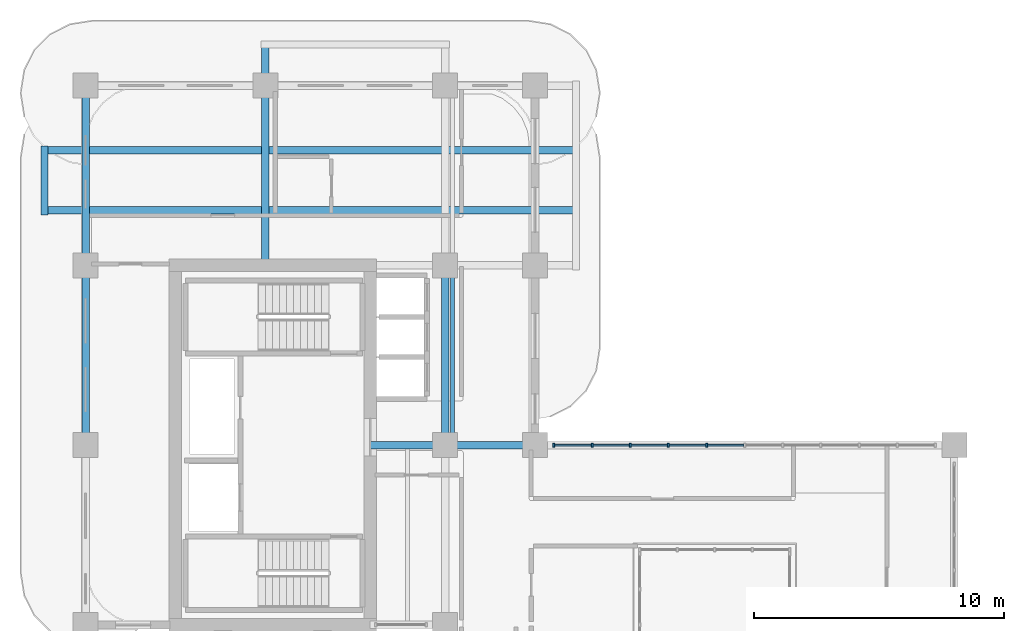
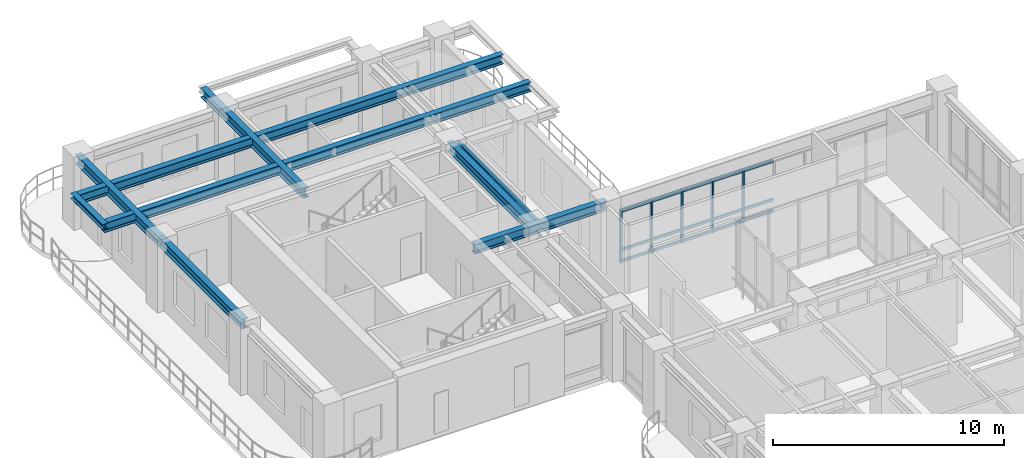
# One storey, part 5 of 21: 20 members, 9 beams, 1 element without a shape of its own.
"""IFC4 building model written with IfcOpenShell, lengths in metres."""

from ifc_helpers import new_model, si_unit, derived_unit, direction, frame, origin, origin_2d, place, context, subcontext, project, spatial, rectangle, i_section, extrude, source, transform, mapped, material, layer, layer_set, material_profile, profile_set, type_object, type_shapes, element, aggregate, save


model = new_model("IFC4")

# Units and contexts
model_context = context("Model", 3, precision=1e-05, world=origin(), true_north=direction((0.0, 1.0)))
body_context = subcontext(model_context, "Body", "Model", "MODEL_VIEW")
ifc_project = project(units=[si_unit("LENGTHUNIT", "METRE"), si_unit("AREAUNIT", "SQUARE_METRE"), si_unit("VOLUMEUNIT", "CUBIC_METRE"), si_unit("PLANEANGLEUNIT", "RADIAN"), si_unit("MASSUNIT", "GRAM", prefix="KILO"), si_unit("THERMODYNAMICTEMPERATUREUNIT", "KELVIN"), si_unit("POWERUNIT", "WATT"), derived_unit("THERMALTRANSMITTANCEUNIT", [(si_unit("POWERUNIT", "WATT"), 1), (si_unit("AREAUNIT", "SQUARE_METRE"), -1), (si_unit("THERMODYNAMICTEMPERATUREUNIT", "KELVIN"), -1)])], contexts=[model_context])

# Site, building, storey
site_placement = place(None, origin())
site = spatial("IfcSite", under=ifc_project, at=site_placement, CompositionType="ELEMENT")
building_placement = place(site_placement, origin())
building = spatial("IfcBuilding", under=site, at=building_placement, Name="Zahravan Archway Hotel and Residences", CompositionType="ELEMENT")
storey_placement = place(building_placement, frame((0.0, 0.0, 169.550048828125)))
storey = spatial("IfcBuildingStorey", under=building, at=storey_placement, Name="L42", CompositionType="ELEMENT", Elevation=169.550048828125)

# Beams
ifc_material_1 = material(Name="Structural Steel S355JR", Category="steel")
ifc_material_profile_1 = material_profile(ifc_material_1, i_section(OverallWidth=0.280029296875, OverallDepth=0.280029296875, WebThickness=0.010498046875, FlangeThickness=0.01806640625, FilletRadius=0.02392578125, at=origin_2d()), Name="HEB 280", Category="steel")
ifc_profile_set_1 = profile_set([ifc_material_profile_1], Name="Structural Steel S355JR")
beam_type_1 = type_object("IfcBeamType", Name="BM-SPN-HEB280", PredefinedType="SPANDREL", material=ifc_profile_set_1)
shared_shape_1 = source(origin(), body_context, "Body", "SweptSolid", [
    extrude(i_section(OverallWidth=0.280029296875, OverallDepth=0.280029296875, WebThickness=0.010498046875, FlangeThickness=0.01806640625, FilletRadius=0.02392578125, at=origin_2d()), origin(), (0.0, 0.0, 1.0), 2.759765625),
])
beam_1_placement = place(storey_placement, frame((-1.64990234375, 41.6201171875, 3.4599609375), z_axis=(0.0, 1.0, 0.0), x_axis=(-1.0, 0.0, 0.0)))
element("IfcBeam", 1, at=beam_1_placement, inside=storey, type_object=beam_type_1, Name="L43 WB Balcony Edge Spandrel", PredefinedType="SPANDREL", context=body_context, shape_type="MappedRepresentation", body=[
    mapped(shared_shape_1, transform((0.0, 0.0, 0.0), scale=1.0)),
])
ifc_material_profile_2 = material_profile(ifc_material_1, i_section(OverallWidth=0.300048828125, OverallDepth=0.5, WebThickness=0.014404296875, FlangeThickness=0.028076171875, FilletRadius=0.027099609375, at=origin_2d()), Name="HEB 500", Category="steel")
ifc_profile_set_2 = profile_set([ifc_material_profile_2], Name="Structural Steel S355JR")
beam_type_2 = type_object("IfcBeamType", Name="BM-PRI-HEB500", PredefinedType="BEAM", material=ifc_profile_set_2)
shared_shape_2 = source(origin(), body_context, "Body", "SweptSolid", [
    extrude(i_section(OverallWidth=0.300048828125, OverallDepth=0.5, WebThickness=0.014404296875, FlangeThickness=0.028076171875, FilletRadius=0.027099609375, at=origin_2d()), origin(), (0.0, 0.0, 1.0), 7.2001953125),
])
type_shapes(beam_type_2, [shared_shape_2])
for number, where, z_axis, x_axis, name in (
    (2, (0.0, 32.39990234375, 3.349853515625), (0.0, 1.0, 0.0), (-1.0, 0.0, 0.0), "L42 Primary Girder NS-25"),
    (3, (14.39990234375, 32.39990234375, 3.349853515625), (0.0, 1.0, 0.0), (-1.0, 0.0, 0.0), "L42 Primary Girder NS-33"),
):
    element("IfcBeam", number, at=place(storey_placement, frame(where, z_axis=z_axis, x_axis=x_axis)), inside=storey, type_object=beam_type_2, Name=name, PredefinedType="BEAM", context=body_context, shape_type="MappedRepresentation", body=[
        mapped(shared_shape_2, transform((0.0, 0.0, 0.0), scale=1.0)),
    ])
shared_shape_3 = source(origin(), body_context, "Body", "SweptSolid", [
    extrude(i_section(OverallWidth=0.300048828125, OverallDepth=0.5, WebThickness=0.014404296875, FlangeThickness=0.028076171875, FilletRadius=0.027099609375, at=origin_2d()), origin(), (0.0, 0.0, 1.0), 7.199951171875),
])
beam_2_placement = place(storey_placement, frame((0.0, 39.60009765625, 3.349853515625), z_axis=(0.0, 1.0, 0.0), x_axis=(-1.0, 0.0, 0.0)))
element("IfcBeam", 4, at=beam_2_placement, inside=storey, type_object=beam_type_2, Name="L42 Primary Girder NS-26", PredefinedType="BEAM", context=body_context, shape_type="MappedRepresentation", body=[
    mapped(shared_shape_3, transform((0.0, 0.0, 0.0), scale=1.0)),
])
shared_shape_4 = source(origin(), body_context, "Body", "SweptSolid", [
    extrude(i_section(OverallWidth=0.300048828125, OverallDepth=0.5, WebThickness=0.014404296875, FlangeThickness=0.028076171875, FilletRadius=0.027099609375, at=origin_2d()), origin(), (0.0, 0.0, 1.0), 6.60009765625),
])
beam_3_placement = place(storey_placement, frame((11.39990234375, 32.39990234375, 3.349853515625), z_axis=(1.0, 0.0, 0.0), x_axis=(0.0, 1.0, 0.0)))
element("IfcBeam", 5, at=beam_3_placement, inside=storey, type_object=beam_type_2, Name="L42 Primary Girder EW-17", PredefinedType="BEAM", context=body_context, shape_type="MappedRepresentation", body=[
    mapped(shared_shape_4, transform((0.0, 0.0, 0.0), scale=1.0)),
])
shared_shape_5 = source(origin(), body_context, "Body", "SweptSolid", [
    extrude(i_section(OverallWidth=0.300048828125, OverallDepth=0.5, WebThickness=0.014404296875, FlangeThickness=0.028076171875, FilletRadius=0.027099609375, at=origin_2d()), origin(), (0.0, 0.0, 1.0), 21.2998046875),
])
for number, where, z_axis, x_axis, name in (
    (6, (-1.64990234375, 41.800048828125, 3.349853515625), (1.0, 0.0, 0.0), (0.0, 1.0, 0.0), "L42 Primary Girder EW-22"),
    (7, (-1.64990234375, 44.199951171875, 3.349853515625), (1.0, 0.0, 0.0), (0.0, 1.0, 0.0), "L42 Primary Girder EW-23"),
):
    element("IfcBeam", number, at=place(storey_placement, frame(where, z_axis=z_axis, x_axis=x_axis)), inside=storey, type_object=beam_type_2, Name=name, PredefinedType="BEAM", context=body_context, shape_type="MappedRepresentation", body=[
        mapped(shared_shape_5, transform((0.0, 0.0, 0.0), scale=1.0)),
    ])
shared_shape_6 = source(origin(), body_context, "Body", "SweptSolid", [
    extrude(i_section(OverallWidth=0.300048828125, OverallDepth=0.5, WebThickness=0.014404296875, FlangeThickness=0.028076171875, FilletRadius=0.027099609375, at=origin_2d()), origin(), (0.0, 0.0, 1.0), 8.849853515625),
])
beam_4_placement = place(storey_placement, frame((7.199951171875, 39.60009765625, 3.349853515625), z_axis=(0.0, 1.0, 0.0), x_axis=(-1.0, 0.0, 0.0)))
element("IfcBeam", 8, at=beam_4_placement, inside=storey, type_object=beam_type_2, Name="L42 Primary Girder NS-27", PredefinedType="BEAM", context=body_context, shape_type="MappedRepresentation", body=[
    mapped(shared_shape_6, transform((0.0, 0.0, 0.0), scale=1.0)),
])
ifc_material_profile_3 = material_profile(ifc_material_1, i_section(OverallWidth=0.14990234375, OverallDepth=0.300048828125, WebThickness=0.007080078125, FlangeThickness=0.0107421875, FilletRadius=0.014892578125, at=origin_2d()), Name="IPE 300", Category="steel")
ifc_profile_set_3 = profile_set([ifc_material_profile_3], Name="Structural Steel S355JR")
beam_type_3 = type_object("IfcBeamType", Name="BM-JST-IPE300", PredefinedType="JOIST", material=ifc_profile_set_3)
shared_shape_7 = source(origin(), body_context, "Body", "SweptSolid", [
    extrude(i_section(OverallWidth=0.14990234375, OverallDepth=0.300048828125, WebThickness=0.007080078125, FlangeThickness=0.0107421875, FilletRadius=0.014892578125, at=origin_2d()), origin(), (0.0, 0.0, 1.0), 6.90380859375),
])
beam_5_placement = place(storey_placement, frame((14.699951171875, 32.548095703125, 3.449951171875), z_axis=(0.0, 1.0, 0.0), x_axis=(-1.0, 0.0, 0.0)))
element("IfcBeam", 9, at=beam_5_placement, inside=storey, type_object=beam_type_3, Name="L42 Composite Floor Joist 11", PredefinedType="JOIST", context=body_context, shape_type="MappedRepresentation", body=[
    mapped(shared_shape_7, transform((0.0, 0.0, 0.0), scale=1.0)),
])

# Curtain wall, members
ifc_material_2 = material(Name="Bronze-Anodized Unitised Aluminium & Low-E Glass", Category="aluminium")
ifc_layer = layer(ifc_material_2, 0.179931640625, Name="Bronze-Anodized Unitised Aluminium & Low-E Glass", Category="aluminium")
ifc_layer_set = layer_set([ifc_layer], Name="Bronze-Anodized Unitised Aluminium & Low-E Glass")
curtain_wall_type = type_object("IfcCurtainWallType", Name="CW-ATR-GLAZ", PredefinedType="NOTDEFINED", material=ifc_layer_set)
curtain_wall_placement = place(storey_placement, origin())
curtain_wall = element("IfcCurtainWall", 10, at=curtain_wall_placement, inside=storey, type_object=curtain_wall_type, Name="L42 Curtain Wall CW-L42-HNG-N-1", PredefinedType="NOTDEFINED")
ifc_material_3 = material(Name="Bronze-Anodized Extruded Aluminium", Category="aluminium")
ifc_material_profile_4 = material_profile(ifc_material_3, rectangle(XDim=0.080078125, YDim=0.139892578125, at=origin_2d()), Name="TRN 80x140", Category="aluminium")
ifc_profile_set_4 = profile_set([ifc_material_profile_4], Name="Bronze-Anodized Extruded Aluminium")
member_type_1 = type_object("IfcMemberType", Name="CWM-TRN-140", PredefinedType="USERDEFINED", material=ifc_profile_set_4)
shared_shape_8 = source(origin(), body_context, "Body", "SweptSolid", [
    extrude(rectangle(XDim=0.080078125, YDim=0.139892578125, at=origin_2d()), origin(), (0.0, 0.0, 1.0), 1.447998046875),
])
member_1_placement = place(storey_placement, frame((18.800048828125, 32.39990234375, 0.070068359375), z_axis=(1.0, 0.0, 0.0), x_axis=(0.0, 1.0, 0.0)))
member_1 = element("IfcMember", 11, at=member_1_placement, type_object=member_type_1, Name="CW-L42-HNG-N-1 Transom 0-1", ObjectType="TRANSOM", PredefinedType="USERDEFINED", context=body_context, shape_type="MappedRepresentation", body=[
    mapped(shared_shape_8, transform((0.0, 0.0, 0.0), scale=1.0)),
])
member_2_placement = place(storey_placement, frame((18.800048828125, 32.39990234375, 0.66845703125), z_axis=(1.0, 0.0, 0.0), x_axis=(0.0, 1.0, 0.0)))
member_2 = element("IfcMember", 12, at=member_2_placement, type_object=member_type_1, Name="CW-L42-HNG-N-1 Transom 0-2", ObjectType="TRANSOM", PredefinedType="USERDEFINED", context=body_context, shape_type="MappedRepresentation", body=[
    mapped(shared_shape_8, transform((0.0, 0.0, 0.0), scale=1.0)),
])
member_3_placement = place(storey_placement, frame((18.800048828125, 32.39990234375, 2.71484375), z_axis=(1.0, 0.0, 0.0), x_axis=(0.0, 1.0, 0.0)))
member_3 = element("IfcMember", 13, at=member_3_placement, type_object=member_type_1, Name="CW-L42-HNG-N-1 Transom 0-3", ObjectType="TRANSOM", PredefinedType="USERDEFINED", context=body_context, shape_type="MappedRepresentation", body=[
    mapped(shared_shape_8, transform((0.0, 0.0, 0.0), scale=1.0)),
])
member_4_placement = place(storey_placement, frame((20.327880859375, 32.39990234375, 0.070068359375), z_axis=(1.0, 0.0, 0.0), x_axis=(0.0, 1.0, 0.0)))
member_4 = element("IfcMember", 14, at=member_4_placement, type_object=member_type_1, Name="CW-L42-HNG-N-1 Transom 1-1", ObjectType="TRANSOM", PredefinedType="USERDEFINED", context=body_context, shape_type="MappedRepresentation", body=[
    mapped(shared_shape_8, transform((0.0, 0.0, 0.0), scale=1.0)),
])
member_5_placement = place(storey_placement, frame((20.327880859375, 32.39990234375, 0.66845703125), z_axis=(1.0, 0.0, 0.0), x_axis=(0.0, 1.0, 0.0)))
member_5 = element("IfcMember", 15, at=member_5_placement, type_object=member_type_1, Name="CW-L42-HNG-N-1 Transom 1-2", ObjectType="TRANSOM", PredefinedType="USERDEFINED", context=body_context, shape_type="MappedRepresentation", body=[
    mapped(shared_shape_8, transform((0.0, 0.0, 0.0), scale=1.0)),
])
member_6_placement = place(storey_placement, frame((20.327880859375, 32.39990234375, 2.71484375), z_axis=(1.0, 0.0, 0.0), x_axis=(0.0, 1.0, 0.0)))
member_6 = element("IfcMember", 16, at=member_6_placement, type_object=member_type_1, Name="CW-L42-HNG-N-1 Transom 1-3", ObjectType="TRANSOM", PredefinedType="USERDEFINED", context=body_context, shape_type="MappedRepresentation", body=[
    mapped(shared_shape_8, transform((0.0, 0.0, 0.0), scale=1.0)),
])
member_7_placement = place(storey_placement, frame((21.85595703125, 32.39990234375, 0.070068359375), z_axis=(1.0, 0.0, 0.0), x_axis=(0.0, 1.0, 0.0)))
member_7 = element("IfcMember", 17, at=member_7_placement, type_object=member_type_1, Name="CW-L42-HNG-N-1 Transom 2-1", ObjectType="TRANSOM", PredefinedType="USERDEFINED", context=body_context, shape_type="MappedRepresentation", body=[
    mapped(shared_shape_8, transform((0.0, 0.0, 0.0), scale=1.0)),
])
member_8_placement = place(storey_placement, frame((21.85595703125, 32.39990234375, 0.66845703125), z_axis=(1.0, 0.0, 0.0), x_axis=(0.0, 1.0, 0.0)))
member_8 = element("IfcMember", 18, at=member_8_placement, type_object=member_type_1, Name="CW-L42-HNG-N-1 Transom 2-2", ObjectType="TRANSOM", PredefinedType="USERDEFINED", context=body_context, shape_type="MappedRepresentation", body=[
    mapped(shared_shape_8, transform((0.0, 0.0, 0.0), scale=1.0)),
])
member_9_placement = place(storey_placement, frame((21.85595703125, 32.39990234375, 2.71484375), z_axis=(1.0, 0.0, 0.0), x_axis=(0.0, 1.0, 0.0)))
member_9 = element("IfcMember", 19, at=member_9_placement, type_object=member_type_1, Name="CW-L42-HNG-N-1 Transom 2-3", ObjectType="TRANSOM", PredefinedType="USERDEFINED", context=body_context, shape_type="MappedRepresentation", body=[
    mapped(shared_shape_8, transform((0.0, 0.0, 0.0), scale=1.0)),
])
member_10_placement = place(storey_placement, frame((23.384033203125, 32.39990234375, 0.070068359375), z_axis=(1.0, 0.0, 0.0), x_axis=(0.0, 1.0, 0.0)))
member_10 = element("IfcMember", 20, at=member_10_placement, type_object=member_type_1, Name="CW-L42-HNG-N-1 Transom 3-1", ObjectType="TRANSOM", PredefinedType="USERDEFINED", context=body_context, shape_type="MappedRepresentation", body=[
    mapped(shared_shape_8, transform((0.0, 0.0, 0.0), scale=1.0)),
])
member_11_placement = place(storey_placement, frame((23.384033203125, 32.39990234375, 0.66845703125), z_axis=(1.0, 0.0, 0.0), x_axis=(0.0, 1.0, 0.0)))
member_11 = element("IfcMember", 21, at=member_11_placement, type_object=member_type_1, Name="CW-L42-HNG-N-1 Transom 3-2", ObjectType="TRANSOM", PredefinedType="USERDEFINED", context=body_context, shape_type="MappedRepresentation", body=[
    mapped(shared_shape_8, transform((0.0, 0.0, 0.0), scale=1.0)),
])
member_12_placement = place(storey_placement, frame((23.384033203125, 32.39990234375, 2.71484375), z_axis=(1.0, 0.0, 0.0), x_axis=(0.0, 1.0, 0.0)))
member_12 = element("IfcMember", 22, at=member_12_placement, type_object=member_type_1, Name="CW-L42-HNG-N-1 Transom 3-3", ObjectType="TRANSOM", PredefinedType="USERDEFINED", context=body_context, shape_type="MappedRepresentation", body=[
    mapped(shared_shape_8, transform((0.0, 0.0, 0.0), scale=1.0)),
])
member_13_placement = place(storey_placement, frame((24.912109375, 32.39990234375, 0.070068359375), z_axis=(1.0, 0.0, 0.0), x_axis=(0.0, 1.0, 0.0)))
member_13 = element("IfcMember", 23, at=member_13_placement, type_object=member_type_1, Name="CW-L42-HNG-N-1 Transom 4-1", ObjectType="TRANSOM", PredefinedType="USERDEFINED", context=body_context, shape_type="MappedRepresentation", body=[
    mapped(shared_shape_8, transform((0.0, 0.0, 0.0), scale=1.0)),
])
member_14_placement = place(storey_placement, frame((24.912109375, 32.39990234375, 0.66845703125), z_axis=(1.0, 0.0, 0.0), x_axis=(0.0, 1.0, 0.0)))
member_14 = element("IfcMember", 24, at=member_14_placement, type_object=member_type_1, Name="CW-L42-HNG-N-1 Transom 4-2", ObjectType="TRANSOM", PredefinedType="USERDEFINED", context=body_context, shape_type="MappedRepresentation", body=[
    mapped(shared_shape_8, transform((0.0, 0.0, 0.0), scale=1.0)),
])
member_15_placement = place(storey_placement, frame((24.912109375, 32.39990234375, 2.71484375), z_axis=(1.0, 0.0, 0.0), x_axis=(0.0, 1.0, 0.0)))
member_15 = element("IfcMember", 25, at=member_15_placement, type_object=member_type_1, Name="CW-L42-HNG-N-1 Transom 4-3", ObjectType="TRANSOM", PredefinedType="USERDEFINED", context=body_context, shape_type="MappedRepresentation", body=[
    mapped(shared_shape_8, transform((0.0, 0.0, 0.0), scale=1.0)),
])
ifc_material_profile_5 = material_profile(ifc_material_3, rectangle(XDim=0.080078125, YDim=0.159912109375, at=origin_2d()), Name="MUL 80x160", Category="aluminium")
ifc_profile_set_5 = profile_set([ifc_material_profile_5], Name="Bronze-Anodized Extruded Aluminium")
member_type_2 = type_object("IfcMemberType", Name="CWM-MUL-160", PredefinedType="MULLION", material=ifc_profile_set_5)
shared_shape_9 = source(origin(), body_context, "Body", "SweptSolid", [
    extrude(rectangle(XDim=0.080078125, YDim=0.159912109375, at=origin_2d()), origin(), (0.0, 0.0, 1.0), 2.784912109375),
])
member_16_placement = place(storey_placement, frame((18.760009765625, 32.39990234375, 0.0), z_axis=(0.0, 0.0, 1.0), x_axis=(1.0, 0.0, 0.0)))
member_16 = element("IfcMember", 26, at=member_16_placement, type_object=member_type_2, Name="CW-L42-HNG-N-1 Mullion 0", PredefinedType="MULLION", context=body_context, shape_type="MappedRepresentation", body=[
    mapped(shared_shape_9, transform((0.0, 0.0, 0.0), scale=1.0)),
])
member_17_placement = place(storey_placement, frame((20.2880859375, 32.39990234375, 0.0), z_axis=(0.0, 0.0, 1.0), x_axis=(1.0, 0.0, 0.0)))
member_17 = element("IfcMember", 27, at=member_17_placement, type_object=member_type_2, Name="CW-L42-HNG-N-1 Mullion 1", PredefinedType="MULLION", context=body_context, shape_type="MappedRepresentation", body=[
    mapped(shared_shape_9, transform((0.0, 0.0, 0.0), scale=1.0)),
])
member_18_placement = place(storey_placement, frame((21.81591796875, 32.39990234375, 0.0), z_axis=(0.0, 0.0, 1.0), x_axis=(1.0, 0.0, 0.0)))
member_18 = element("IfcMember", 28, at=member_18_placement, type_object=member_type_2, Name="CW-L42-HNG-N-1 Mullion 2", PredefinedType="MULLION", context=body_context, shape_type="MappedRepresentation", body=[
    mapped(shared_shape_9, transform((0.0, 0.0, 0.0), scale=1.0)),
])
member_19_placement = place(storey_placement, frame((23.343994140625, 32.39990234375, 0.0), z_axis=(0.0, 0.0, 1.0), x_axis=(1.0, 0.0, 0.0)))
member_19 = element("IfcMember", 29, at=member_19_placement, type_object=member_type_2, Name="CW-L42-HNG-N-1 Mullion 3", PredefinedType="MULLION", context=body_context, shape_type="MappedRepresentation", body=[
    mapped(shared_shape_9, transform((0.0, 0.0, 0.0), scale=1.0)),
])
member_20_placement = place(storey_placement, frame((24.8720703125, 32.39990234375, 0.0), z_axis=(0.0, 0.0, 1.0), x_axis=(1.0, 0.0, 0.0)))
member_20 = element("IfcMember", 30, at=member_20_placement, type_object=member_type_2, Name="CW-L42-HNG-N-1 Mullion 4", PredefinedType="MULLION", context=body_context, shape_type="MappedRepresentation", body=[
    mapped(shared_shape_9, transform((0.0, 0.0, 0.0), scale=1.0)),
])
aggregate(curtain_wall, [member_16, member_17, member_18, member_19, member_20, member_1, member_2, member_3, member_4, member_5, member_6, member_7, member_8, member_9, member_10, member_11, member_12, member_13, member_14, member_15])

save(model, "model.ifc")
